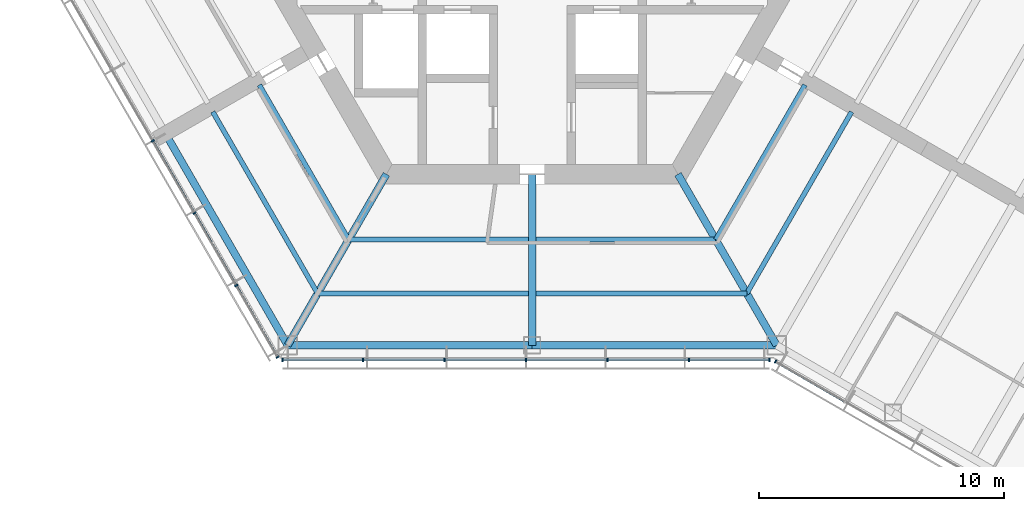
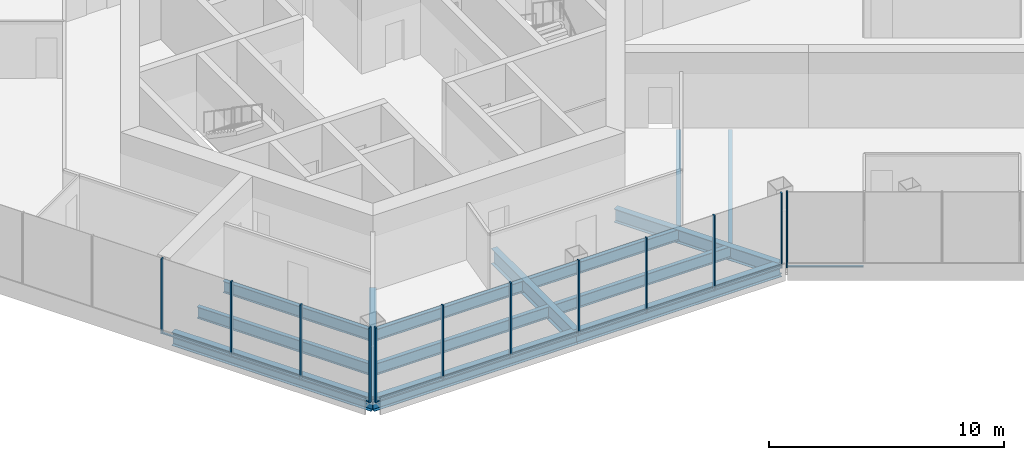
# One storey, part 2 of 15: 22 members, 14 beams, 3 elements without a shape of their own.
"""IFC4 building model written with IfcOpenShell, lengths in metres."""

from ifc_helpers import new_model, si_unit, direction, frame, origin, origin_2d, place, context, subcontext, project, spatial, rectangle, i_section, extrude, material, material_profile, profile_set, type_object, element, aggregate, save


model = new_model("IFC4")

# Units and contexts
model_context = context("Model", 3, precision=1e-05, world=origin(), true_north=direction((0.0, 1.0)))
body_context = subcontext(model_context, "Body", "Model", "MODEL_VIEW")
ifc_project = project(units=[si_unit("LENGTHUNIT", "METRE"), si_unit("AREAUNIT", "SQUARE_METRE"), si_unit("VOLUMEUNIT", "CUBIC_METRE"), si_unit("PLANEANGLEUNIT", "RADIAN"), si_unit("MASSUNIT", "GRAM", prefix="KILO")], contexts=[model_context])

# Site, building, storey
site_placement = place(None, origin())
site = spatial("IfcSite", under=ifc_project, at=site_placement, CompositionType="ELEMENT")
building_placement = place(site_placement, origin())
building = spatial("IfcBuilding", under=site, at=building_placement, Name="Kasaneha Research Tower", CompositionType="ELEMENT")
storey_placement = place(building_placement, frame((0.0, 0.0, 220.60009765625)))
storey = spatial("IfcBuildingStorey", under=building, at=storey_placement, Name="L55", CompositionType="ELEMENT", Elevation=220.60009765625)

# Beams
ifc_material_1 = material(Name="Steel SN490B", Category="steel")
ifc_material_profile_1 = material_profile(ifc_material_1, i_section(OverallWidth=0.199951171875, OverallDepth=0.60009765625, WebThickness=0.010986328125, FlangeThickness=0.01708984375, FilletRadius=0.012939453125, at=origin_2d()), Name="H-600x200x11x17")
ifc_profile_set_1 = profile_set([ifc_material_profile_1], Name="Steel SN490B")
beam_type_1 = type_object("IfcBeamType", Name="B1-3 secondary beam H-600x200x11x17", PredefinedType="JOIST", material=ifc_profile_set_1)
beam_1_placement = place(storey_placement, frame((-7.505615234375, -13.0, -0.4501953125), z_axis=(-0.499999192304, 0.866025870108, 0.0), x_axis=(-0.866025870108, -0.499999192304, 0.0)))
element("IfcBeam", 1, at=beam_1_placement, inside=storey, type_object=beam_type_1, Name="Secondary beam RS210R1 L55", PredefinedType="JOIST", context=body_context, shape_type="SweptSolid", body=[
    extrude(i_section(OverallWidth=0.199951171875, OverallDepth=0.60009765625, WebThickness=0.010986328125, FlangeThickness=0.01708984375, FilletRadius=0.012939453125, at=origin_2d()), origin(), (0.0, 0.0, 1.0), 7.3056640625),
])
beam_2_placement = place(storey_placement, frame((-8.775634765625, -15.199951171875, -0.4501953125), z_axis=(-0.500000102728, 0.866025344474, 0.0), x_axis=(-0.866025344474, -0.500000102728, 0.0)))
element("IfcBeam", 2, at=beam_2_placement, inside=storey, type_object=beam_type_1, Name="Secondary beam RS210R2 L55", PredefinedType="JOIST", context=body_context, shape_type="SweptSolid", body=[
    extrude(i_section(OverallWidth=0.199951171875, OverallDepth=0.60009765625, WebThickness=0.010986328125, FlangeThickness=0.01708984375, FilletRadius=0.012939453125, at=origin_2d()), origin(), (0.0, 0.0, 1.0), 8.57568359375),
])
beam_3_placement = place(storey_placement, frame((-7.505615234375, -13.0, -0.4501953125), z_axis=(1.0, 0.0, 0.0), x_axis=(0.0, 1.0, 0.0)))
element("IfcBeam", 3, at=beam_3_placement, inside=storey, type_object=beam_type_1, Name="Secondary beam RS270L1 L55", PredefinedType="JOIST", context=body_context, shape_type="SweptSolid", body=[
    extrude(i_section(OverallWidth=0.199951171875, OverallDepth=0.60009765625, WebThickness=0.010986328125, FlangeThickness=0.01708984375, FilletRadius=0.012939453125, at=origin_2d()), origin(), (0.0, 0.0, 1.0), 7.355712890625),
])
beam_4_placement = place(storey_placement, frame((-8.775634765625, -15.199951171875, -0.4501953125), z_axis=(1.0, 0.0, 0.0), x_axis=(0.0, 1.0, 0.0)))
element("IfcBeam", 4, at=beam_4_placement, inside=storey, type_object=beam_type_1, Name="Secondary beam RS270L2 L55", PredefinedType="JOIST", context=body_context, shape_type="SweptSolid", body=[
    extrude(i_section(OverallWidth=0.199951171875, OverallDepth=0.60009765625, WebThickness=0.010986328125, FlangeThickness=0.01708984375, FilletRadius=0.012939453125, at=origin_2d()), origin(), (0.0, 0.0, 1.0), 8.625732421875),
])
beam_5_placement = place(storey_placement, frame((7.505615234375, -13.0, -0.4501953125), z_axis=(-1.0, 0.0, 0.0), x_axis=(0.0, -1.0, 0.0)))
element("IfcBeam", 5, at=beam_5_placement, inside=storey, type_object=beam_type_1, Name="Secondary beam RS270R1 L55", PredefinedType="JOIST", context=body_context, shape_type="SweptSolid", body=[
    extrude(i_section(OverallWidth=0.199951171875, OverallDepth=0.60009765625, WebThickness=0.010986328125, FlangeThickness=0.01708984375, FilletRadius=0.012939453125, at=origin_2d()), origin(), (0.0, 0.0, 1.0), 7.355712890625),
])
beam_6_placement = place(storey_placement, frame((8.775634765625, -15.199951171875, -0.4501953125), z_axis=(-1.0, 0.0, 0.0), x_axis=(0.0, -1.0, 0.0)))
element("IfcBeam", 6, at=beam_6_placement, inside=storey, type_object=beam_type_1, Name="Secondary beam RS270R2 L55", PredefinedType="JOIST", context=body_context, shape_type="SweptSolid", body=[
    extrude(i_section(OverallWidth=0.199951171875, OverallDepth=0.60009765625, WebThickness=0.010986328125, FlangeThickness=0.01708984375, FilletRadius=0.012939453125, at=origin_2d()), origin(), (0.0, 0.0, 1.0), 8.625732421875),
])
beam_7_placement = place(storey_placement, frame((7.505615234375, -13.0, -0.4501953125), z_axis=(0.499999192304, 0.866025870108, 0.0), x_axis=(-0.866025870108, 0.499999192304, 0.0)))
element("IfcBeam", 7, at=beam_7_placement, inside=storey, type_object=beam_type_1, Name="Secondary beam RS330L1 L55", PredefinedType="JOIST", context=body_context, shape_type="SweptSolid", body=[
    extrude(i_section(OverallWidth=0.199951171875, OverallDepth=0.60009765625, WebThickness=0.010986328125, FlangeThickness=0.01708984375, FilletRadius=0.012939453125, at=origin_2d()), origin(), (0.0, 0.0, 1.0), 7.3056640625),
])
beam_8_placement = place(storey_placement, frame((8.775634765625, -15.199951171875, -0.4501953125), z_axis=(0.500000102728, 0.866025344474, 0.0), x_axis=(-0.866025344474, 0.500000102728, 0.0)))
element("IfcBeam", 8, at=beam_8_placement, inside=storey, type_object=beam_type_1, Name="Secondary beam RS330L2 L55", PredefinedType="JOIST", context=body_context, shape_type="SweptSolid", body=[
    extrude(i_section(OverallWidth=0.199951171875, OverallDepth=0.60009765625, WebThickness=0.010986328125, FlangeThickness=0.01708984375, FilletRadius=0.012939453125, at=origin_2d()), origin(), (0.0, 0.0, 1.0), 8.57568359375),
])

# Curtain wall, members
ifc_material_2 = material(Name="Glass and aluminium", Category="aluminium")
curtain_wall_type = type_object("IfcCurtainWallType", Name="High-rise office curtain wall", PredefinedType="USERDEFINED", material=ifc_material_2)
curtain_wall_1_placement = place(storey_placement, origin())
curtain_wall_1 = element("IfcCurtainWall", 9, at=curtain_wall_1_placement, inside=storey, type_object=curtain_wall_type, Name="CW-O3 L55 run 04a", ObjectType="UNITISED CURTAIN WALL", PredefinedType="USERDEFINED")
ifc_material_3 = material(Name="Aluminium 6063-T6", Category="aluminium")
ifc_material_profile_2 = material_profile(ifc_material_3, rectangle(XDim=0.06005859375, YDim=0.139892578125, at=origin_2d()), Name="CW-O3 mullion 60x140")
ifc_profile_set_2 = profile_set([ifc_material_profile_2], Name="Aluminium 6063-T6")
member_type_1 = type_object("IfcMemberType", Name="CW-O3 mullion", PredefinedType="MULLION", material=ifc_profile_set_2)
member_1_placement = place(storey_placement, frame((-15.51953125, -8.960205078125, 0.0), z_axis=(0.0, 0.0, 1.0), x_axis=(0.499999995722, -0.866025406254, 0.0)))
member_1 = element("IfcMember", 10, at=member_1_placement, type_object=member_type_1, Name="CW-O3 mullion 4", PredefinedType="MULLION", context=body_context, shape_type="SweptSolid", body=[
    extrude(rectangle(XDim=0.06005859375, YDim=0.139892578125, at=origin_2d()), origin(), (0.0, 0.0, 1.0), 3.89990234375),
])
member_2_placement = place(storey_placement, frame((-13.811767578125, -11.918212890625, 0.0), z_axis=(0.0, 0.0, 1.0), x_axis=(0.499999995722, -0.866025406254, 0.0)))
member_2 = element("IfcMember", 11, at=member_2_placement, type_object=member_type_1, Name="CW-O3 mullion 5", PredefinedType="MULLION", context=body_context, shape_type="SweptSolid", body=[
    extrude(rectangle(XDim=0.06005859375, YDim=0.139892578125, at=origin_2d()), origin(), (0.0, 0.0, 1.0), 3.89990234375),
])
member_3_placement = place(storey_placement, frame((-12.104248046875, -14.8759765625, 0.0), z_axis=(0.0, 0.0, 1.0), x_axis=(0.499999995722, -0.866025406254, 0.0)))
member_3 = element("IfcMember", 12, at=member_3_placement, type_object=member_type_1, Name="CW-O3 mullion 6", PredefinedType="MULLION", context=body_context, shape_type="SweptSolid", body=[
    extrude(rectangle(XDim=0.06005859375, YDim=0.139892578125, at=origin_2d()), origin(), (0.0, 0.0, 1.0), 3.89990234375),
])
member_4_placement = place(storey_placement, frame((-10.411376953125, -17.807861328125, 0.0), z_axis=(0.0, 0.0, 1.0), x_axis=(0.499999995722, -0.866025406254, 0.0)))
member_4 = element("IfcMember", 13, at=member_4_placement, type_object=member_type_1, Name="CW-O3 mullion 7", PredefinedType="MULLION", context=body_context, shape_type="SweptSolid", body=[
    extrude(rectangle(XDim=0.06005859375, YDim=0.139892578125, at=origin_2d()), origin(), (0.0, 0.0, 1.0), 3.89990234375),
])

curtain_wall_2_placement = place(storey_placement, origin())
curtain_wall_2 = element("IfcCurtainWall", 14, at=curtain_wall_2_placement, inside=storey, type_object=curtain_wall_type, Name="CW-O3 L55 run 05a", ObjectType="UNITISED CURTAIN WALL", PredefinedType="USERDEFINED")
member_5_placement = place(storey_placement, frame((-10.21630859375, -17.92041015625, 0.0), z_axis=(0.0, 0.0, 1.0), x_axis=(1.0, 0.0, 0.0)))
member_5 = element("IfcMember", 15, at=member_5_placement, type_object=member_type_1, Name="CW-O3 mullion 1", PredefinedType="MULLION", context=body_context, shape_type="SweptSolid", body=[
    extrude(rectangle(XDim=0.06005859375, YDim=0.139892578125, at=origin_2d()), origin(), (0.0, 0.0, 1.0), 3.89990234375),
])
member_6_placement = place(storey_placement, frame((-6.91552734375, -17.92041015625, 0.0), z_axis=(0.0, 0.0, 1.0), x_axis=(1.0, 0.0, 0.0)))
member_6 = element("IfcMember", 16, at=member_6_placement, type_object=member_type_1, Name="CW-O3 mullion 2", PredefinedType="MULLION", context=body_context, shape_type="SweptSolid", body=[
    extrude(rectangle(XDim=0.06005859375, YDim=0.139892578125, at=origin_2d()), origin(), (0.0, 0.0, 1.0), 3.89990234375),
])
member_7_placement = place(storey_placement, frame((-3.58447265625, -17.92041015625, 0.0), z_axis=(0.0, 0.0, 1.0), x_axis=(1.0, 0.0, 0.0)))
member_7 = element("IfcMember", 17, at=member_7_placement, type_object=member_type_1, Name="CW-O3 mullion 3", PredefinedType="MULLION", context=body_context, shape_type="SweptSolid", body=[
    extrude(rectangle(XDim=0.06005859375, YDim=0.139892578125, at=origin_2d()), origin(), (0.0, 0.0, 1.0), 3.89990234375),
])
member_8_placement = place(storey_placement, frame((-0.253662109375, -17.92041015625, 0.0), z_axis=(0.0, 0.0, 1.0), x_axis=(1.0, 0.0, 0.0)))
member_8 = element("IfcMember", 18, at=member_8_placement, type_object=member_type_1, Name="CW-O3 mullion 4", PredefinedType="MULLION", context=body_context, shape_type="SweptSolid", body=[
    extrude(rectangle(XDim=0.06005859375, YDim=0.139892578125, at=origin_2d()), origin(), (0.0, 0.0, 1.0), 3.89990234375),
])
member_9_placement = place(storey_placement, frame((3.077392578125, -17.92041015625, 0.0), z_axis=(0.0, 0.0, 1.0), x_axis=(1.0, 0.0, 0.0)))
member_9 = element("IfcMember", 19, at=member_9_placement, type_object=member_type_1, Name="CW-O3 mullion 5", PredefinedType="MULLION", context=body_context, shape_type="SweptSolid", body=[
    extrude(rectangle(XDim=0.06005859375, YDim=0.139892578125, at=origin_2d()), origin(), (0.0, 0.0, 1.0), 3.89990234375),
])
member_10_placement = place(storey_placement, frame((6.408203125, -17.92041015625, 0.0), z_axis=(0.0, 0.0, 1.0), x_axis=(1.0, 0.0, 0.0)))
member_10 = element("IfcMember", 20, at=member_10_placement, type_object=member_type_1, Name="CW-O3 mullion 6", PredefinedType="MULLION", context=body_context, shape_type="SweptSolid", body=[
    extrude(rectangle(XDim=0.06005859375, YDim=0.139892578125, at=origin_2d()), origin(), (0.0, 0.0, 1.0), 3.89990234375),
])
member_11_placement = place(storey_placement, frame((9.709228515625, -17.92041015625, 0.0), z_axis=(0.0, 0.0, 1.0), x_axis=(1.0, 0.0, 0.0)))
member_11 = element("IfcMember", 21, at=member_11_placement, type_object=member_type_1, Name="CW-O3 mullion 7", PredefinedType="MULLION", context=body_context, shape_type="SweptSolid", body=[
    extrude(rectangle(XDim=0.06005859375, YDim=0.139892578125, at=origin_2d()), origin(), (0.0, 0.0, 1.0), 3.89990234375),
])

# Curtain wall, member
curtain_wall_3_placement = place(storey_placement, origin())
curtain_wall_3 = element("IfcCurtainWall", 22, at=curtain_wall_3_placement, inside=storey, type_object=curtain_wall_type, Name="CW-O3 L55 run 06a", ObjectType="UNITISED CURTAIN WALL", PredefinedType="USERDEFINED")
member_12_placement = place(storey_placement, frame((9.951904296875, -17.985595703125, 0.0), z_axis=(0.0, 0.0, 1.0), x_axis=(0.866025411464, -0.499999986699, 0.0)))
member_12 = element("IfcMember", 23, at=member_12_placement, type_object=member_type_1, Name="CW-O3 mullion 1", PredefinedType="MULLION", context=body_context, shape_type="SweptSolid", body=[
    extrude(rectangle(XDim=0.06005859375, YDim=0.139892578125, at=origin_2d()), origin(), (0.0, 0.0, 1.0), 3.89990234375),
])

# Member
ifc_material_4 = material(Name="Aluminium 6063-T6", Category="aluminium")
ifc_material_profile_3 = material_profile(ifc_material_4, rectangle(XDim=0.10009765625, YDim=0.06005859375, at=origin_2d()), Name="CW-O3 transom 100x60")
ifc_profile_set_3 = profile_set([ifc_material_profile_3], Name="Aluminium 6063-T6")
member_type_2 = type_object("IfcMemberType", Name="CW-O3 transom", PredefinedType="USERDEFINED", material=ifc_profile_set_3)
member_13_placement = place(storey_placement, frame((-15.504638671875, -8.986328125, 0.02978515625), z_axis=(0.500020578564, -0.866013522419, 0.0), x_axis=(0.866013522419, 0.500020578564, 0.0)))
member_13 = element("IfcMember", 24, at=member_13_placement, type_object=member_type_2, Name="CW-O3 transom 4", ObjectType="TRANSOM", PredefinedType="USERDEFINED", context=body_context, shape_type="SweptSolid", body=[
    extrude(rectangle(XDim=0.10009765625, YDim=0.06005859375, at=origin_2d()), origin(), (0.0, 0.0, 1.0), 3.355224609375),
])

member_14_placement = place(storey_placement, frame((-13.796875, -11.944091796875, 0.02978515625), z_axis=(0.499989072476, -0.866031712701, 0.0), x_axis=(0.866031712701, 0.499989072476, 0.0)))
member_14 = element("IfcMember", 25, at=member_14_placement, type_object=member_type_2, Name="CW-O3 transom 5", ObjectType="TRANSOM", PredefinedType="USERDEFINED", context=body_context, shape_type="SweptSolid", body=[
    extrude(rectangle(XDim=0.10009765625, YDim=0.06005859375, at=origin_2d()), origin(), (0.0, 0.0, 1.0), 3.35546875),
])

member_15_placement = place(storey_placement, frame((-12.089111328125, -14.902099609375, 0.02978515625), z_axis=(0.49997666526, -0.866038875684, 0.0), x_axis=(0.866038875684, 0.49997666526, 0.0)))
member_15 = element("IfcMember", 26, at=member_15_placement, type_object=member_type_2, Name="CW-O3 transom 6", ObjectType="TRANSOM", PredefinedType="USERDEFINED", context=body_context, shape_type="SweptSolid", body=[
    extrude(rectangle(XDim=0.10009765625, YDim=0.06005859375, at=origin_2d()), origin(), (0.0, 0.0, 1.0), 3.325439453125),
])

aggregate(curtain_wall_1, [member_1, member_2, member_3, member_4, member_13, member_14, member_15])

member_16_placement = place(storey_placement, frame((-10.1865234375, -17.92041015625, 0.02978515625), z_axis=(1.0, 0.0, 0.0), x_axis=(0.0, 1.0, 0.0)))
member_16 = element("IfcMember", 27, at=member_16_placement, type_object=member_type_2, Name="CW-O3 transom 1", ObjectType="TRANSOM", PredefinedType="USERDEFINED", context=body_context, shape_type="SweptSolid", body=[
    extrude(rectangle(XDim=0.10009765625, YDim=0.06005859375, at=origin_2d()), origin(), (0.0, 0.0, 1.0), 3.240966796875),
])

member_17_placement = place(storey_placement, frame((-6.885498046875, -17.92041015625, 0.02978515625), z_axis=(1.0, 0.0, 0.0), x_axis=(0.0, 1.0, 0.0)))
member_17 = element("IfcMember", 28, at=member_17_placement, type_object=member_type_2, Name="CW-O3 transom 2", ObjectType="TRANSOM", PredefinedType="USERDEFINED", context=body_context, shape_type="SweptSolid", body=[
    extrude(rectangle(XDim=0.10009765625, YDim=0.06005859375, at=origin_2d()), origin(), (0.0, 0.0, 1.0), 3.27099609375),
])

member_18_placement = place(storey_placement, frame((-3.554443359375, -17.92041015625, 0.02978515625), z_axis=(1.0, 0.0, 0.0), x_axis=(0.0, 1.0, 0.0)))
member_18 = element("IfcMember", 29, at=member_18_placement, type_object=member_type_2, Name="CW-O3 transom 3", ObjectType="TRANSOM", PredefinedType="USERDEFINED", context=body_context, shape_type="SweptSolid", body=[
    extrude(rectangle(XDim=0.10009765625, YDim=0.06005859375, at=origin_2d()), origin(), (0.0, 0.0, 1.0), 3.270751953125),
])

member_19_placement = place(storey_placement, frame((-0.2236328125, -17.92041015625, 0.02978515625), z_axis=(1.0, 0.0, 0.0), x_axis=(0.0, 1.0, 0.0)))
member_19 = element("IfcMember", 30, at=member_19_placement, type_object=member_type_2, Name="CW-O3 transom 4", ObjectType="TRANSOM", PredefinedType="USERDEFINED", context=body_context, shape_type="SweptSolid", body=[
    extrude(rectangle(XDim=0.10009765625, YDim=0.06005859375, at=origin_2d()), origin(), (0.0, 0.0, 1.0), 3.27099609375),
])

member_20_placement = place(storey_placement, frame((3.107421875, -17.92041015625, 0.02978515625), z_axis=(1.0, 0.0, 0.0), x_axis=(0.0, 1.0, 0.0)))
member_20 = element("IfcMember", 31, at=member_20_placement, type_object=member_type_2, Name="CW-O3 transom 5", ObjectType="TRANSOM", PredefinedType="USERDEFINED", context=body_context, shape_type="SweptSolid", body=[
    extrude(rectangle(XDim=0.10009765625, YDim=0.06005859375, at=origin_2d()), origin(), (0.0, 0.0, 1.0), 3.270751953125),
])

member_21_placement = place(storey_placement, frame((6.438232421875, -17.92041015625, 0.02978515625), z_axis=(1.0, 0.0, 0.0), x_axis=(0.0, 1.0, 0.0)))
member_21 = element("IfcMember", 32, at=member_21_placement, type_object=member_type_2, Name="CW-O3 transom 6", ObjectType="TRANSOM", PredefinedType="USERDEFINED", context=body_context, shape_type="SweptSolid", body=[
    extrude(rectangle(XDim=0.10009765625, YDim=0.06005859375, at=origin_2d()), origin(), (0.0, 0.0, 1.0), 3.240966796875),
])

aggregate(curtain_wall_2, [member_5, member_6, member_7, member_8, member_9, member_10, member_11, member_16, member_17, member_18, member_19, member_20, member_21])

member_22_placement = place(storey_placement, frame((9.977783203125, -18.00048828125, 0.02978515625), z_axis=(0.866022692473, -0.500004696101, 0.0), x_axis=(0.500004696101, 0.866022692473, 0.0)))
member_22 = element("IfcMember", 33, at=member_22_placement, type_object=member_type_2, Name="CW-O3 transom 1", ObjectType="TRANSOM", PredefinedType="USERDEFINED", context=body_context, shape_type="SweptSolid", body=[
    extrude(rectangle(XDim=0.10009765625, YDim=0.06005859375, at=origin_2d()), origin(), (0.0, 0.0, 1.0), 3.2197265625),
])

aggregate(curtain_wall_3, [member_12, member_22])

# Beams
ifc_material_5 = material(Name="Steel SN490B", Category="steel")
ifc_material_profile_4 = material_profile(ifc_material_5, i_section(OverallWidth=0.300048828125, OverallDepth=0.699951171875, WebThickness=0.012939453125, FlangeThickness=0.02392578125, FilletRadius=0.01806640625, at=origin_2d()), Name="H-700x300x13x24")
ifc_profile_set_4 = profile_set([ifc_material_profile_4], Name="Steel SN490B")
beam_type_2 = type_object("IfcBeamType", Name="G1-3 radial girder H-700x300x13x24", PredefinedType="BEAM", material=ifc_profile_set_4)
for number, where, z_axis, x_axis, name in (
    (34, (-5.961181640625, -10.324951171875, -0.5), (-0.49999105496, -0.866030568144, 0.0), (0.866030568144, -0.49999105496, 0.0), "Radial girder RV240 L55"),
    (35, (5.961181640625, -10.324951171875, -0.5), (0.49999105496, -0.866030568144, 0.0), (0.866030568144, 0.49999105496, 0.0), "Radial girder RV300 L55"),
):
    element("IfcBeam", number, at=place(storey_placement, frame(where, z_axis=z_axis, x_axis=x_axis)), inside=storey, type_object=beam_type_2, Name=name, PredefinedType="BEAM", context=body_context, shape_type="SweptSolid", body=[
        extrude(i_section(OverallWidth=0.300048828125, OverallDepth=0.699951171875, WebThickness=0.012939453125, FlangeThickness=0.02392578125, FilletRadius=0.01806640625, at=origin_2d()), origin(), (0.0, 0.0, 1.0), 8.077880859375),
    ])
ifc_material_6 = material(Name="Steel SN490B", Category="steel")
ifc_material_profile_5 = material_profile(ifc_material_6, i_section(OverallWidth=0.300048828125, OverallDepth=0.800048828125, WebThickness=0.013916015625, FlangeThickness=0.02587890625, FilletRadius=0.01806640625, at=origin_2d()), Name="H-800x300x14x26")
ifc_profile_set_5 = profile_set([ifc_material_profile_5], Name="Steel SN490B")
beam_type_3 = type_object("IfcBeamType", Name="G2-3 radial girder H-800x300x14x26", PredefinedType="BEAM", material=ifc_profile_set_5)
beam_9_placement = place(storey_placement, frame((0.0, -10.324951171875, -0.550048828125), z_axis=(0.0, -1.0, 0.0), x_axis=(1.0, 0.0, 0.0)))
element("IfcBeam", 36, at=beam_9_placement, inside=storey, type_object=beam_type_3, Name="Radial girder RM270 L55", PredefinedType="BEAM", context=body_context, shape_type="SweptSolid", body=[
    extrude(i_section(OverallWidth=0.300048828125, OverallDepth=0.800048828125, WebThickness=0.013916015625, FlangeThickness=0.02587890625, FilletRadius=0.01806640625, at=origin_2d()), origin(), (0.0, 0.0, 1.0), 6.99560546875),
])
ifc_material_7 = material(Name="Steel SN490B", Category="steel")
ifc_material_profile_6 = material_profile(ifc_material_7, i_section(OverallWidth=0.300048828125, OverallDepth=0.69189453125, WebThickness=0.012939453125, FlangeThickness=0.02001953125, FilletRadius=0.01806640625, at=origin_2d()), Name="H-692x300x13x20")
ifc_profile_set_6 = profile_set([ifc_material_profile_6], Name="Steel SN490B")
beam_type_4 = type_object("IfcBeamType", Name="G3-3 plate edge girder H-692x300x13x20", PredefinedType="BEAM", material=ifc_profile_set_6)
beam_10_placement = place(storey_placement, frame((-10.0, -17.320556640625, -0.49609375), z_axis=(-0.49999201416, 0.866030014362, 0.0), x_axis=(-0.866030014362, -0.49999201416, 0.0)))
element("IfcBeam", 37, at=beam_10_placement, inside=storey, type_object=beam_type_4, Name="Plate edge girder PEBN L55", PredefinedType="BEAM", context=body_context, shape_type="SweptSolid", body=[
    extrude(i_section(OverallWidth=0.300048828125, OverallDepth=0.69189453125, WebThickness=0.012939453125, FlangeThickness=0.02001953125, FilletRadius=0.01806640625, at=origin_2d()), origin(), (0.0, 0.0, 1.0), 9.800048828125),
])
ifc_material_8 = material(Name="Steel SN490B", Category="steel")
ifc_material_profile_7 = material_profile(ifc_material_8, i_section(OverallWidth=0.300048828125, OverallDepth=0.69189453125, WebThickness=0.012939453125, FlangeThickness=0.02001953125, FilletRadius=0.01806640625, at=origin_2d()), Name="H-692x300x13x20")
ifc_profile_set_7 = profile_set([ifc_material_profile_7], Name="Steel SN490B")
beam_type_5 = type_object("IfcBeamType", Name="SB1-3 spandrel beam H-692x300x13x20", PredefinedType="SPANDREL", material=ifc_profile_set_7)
for number, where, z_axis, x_axis, name in (
    (38, (-10.0, -17.320556640625, -0.49609375), (1.0, 0.0, 0.0), (0.0, 1.0, 0.0), "Spandrel beam SR270L L55"),
    (39, (10.0, -17.320556640625, -0.49609375), (-1.0, 0.0, 0.0), (0.0, -1.0, 0.0), "Spandrel beam SR270R L55"),
):
    element("IfcBeam", number, at=place(storey_placement, frame(where, z_axis=z_axis, x_axis=x_axis)), inside=storey, type_object=beam_type_5, Name=name, PredefinedType="SPANDREL", context=body_context, shape_type="SweptSolid", body=[
        extrude(i_section(OverallWidth=0.300048828125, OverallDepth=0.69189453125, WebThickness=0.012939453125, FlangeThickness=0.02001953125, FilletRadius=0.01806640625, at=origin_2d()), origin(), (0.0, 0.0, 1.0), 10.0),
    ])

save(model, "model.ifc")
